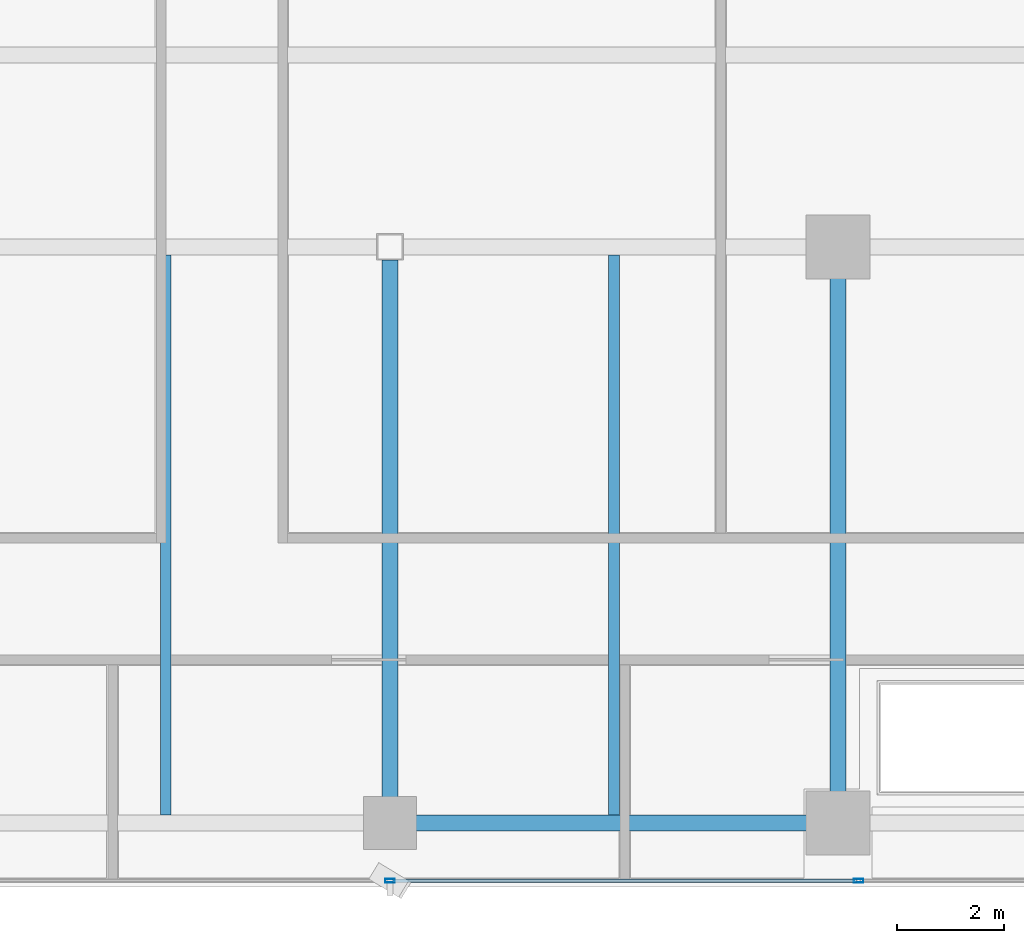
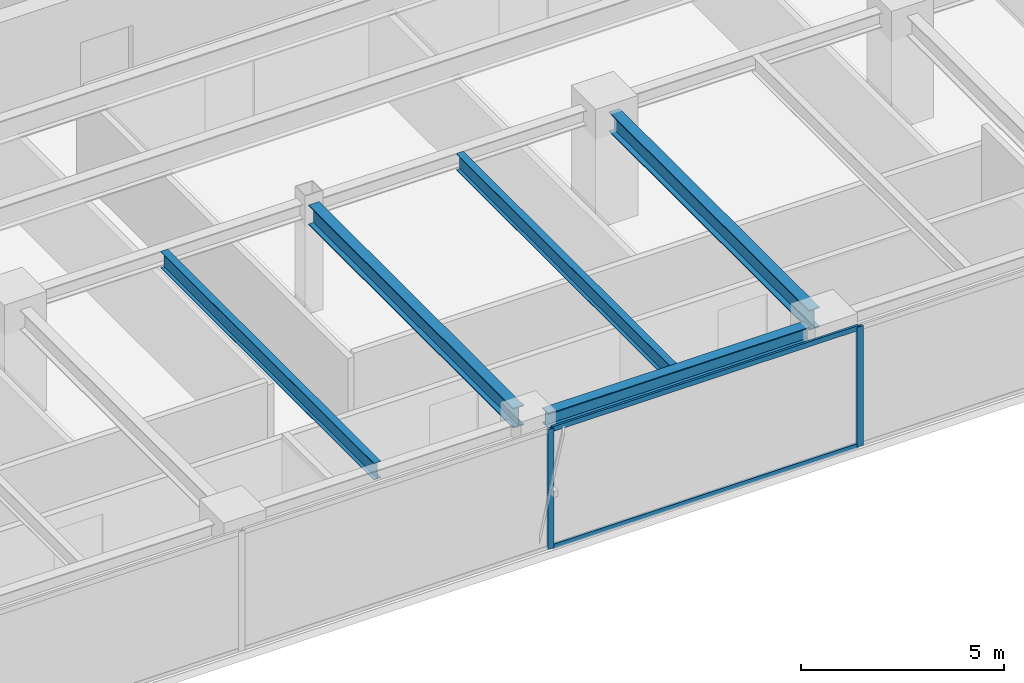
# One storey, part 4 of 21: 5 beams, 4 members, 1 element without a shape of its own.
"""IFC4 building model written with IfcOpenShell, lengths in metres."""

from ifc_helpers import new_model, si_unit, direction, frame, origin, origin_2d, place, context, subcontext, project, spatial, hollow_rectangle, i_section, extrude, source, transform, mapped, material, layer, layer_set, material_profile, profile_set, type_object, element, aggregate, save


model = new_model("IFC4")

# Units and contexts
model_context = context("Model", 3, precision=1e-05, world=origin(), true_north=direction((0.0, 1.0)))
body_context = subcontext(model_context, "Body", "Model", "MODEL_VIEW")
ifc_project = project(units=[si_unit("LENGTHUNIT", "METRE"), si_unit("AREAUNIT", "SQUARE_METRE"), si_unit("VOLUMEUNIT", "CUBIC_METRE"), si_unit("PLANEANGLEUNIT", "RADIAN"), si_unit("MASSUNIT", "GRAM", prefix="KILO")], contexts=[model_context])

# Site, building, storey
site_placement = place(None, origin())
site = spatial("IfcSite", under=ifc_project, at=site_placement, CompositionType="ELEMENT")
building_placement = place(site_placement, origin())
building = spatial("IfcBuilding", under=site, at=building_placement, Name="Sumidabori Civic Tower", CompositionType="ELEMENT")
storey_placement = place(building_placement, frame((0.0, 0.0, 290.0)))
storey = spatial("IfcBuildingStorey", under=building, at=storey_placement, Name="L76", CompositionType="ELEMENT", Elevation=290.0)

# Beams
ifc_material_1 = material(Name="Steel SN490", Category="steel")
ifc_material_profile_1 = material_profile(ifc_material_1, i_section(OverallWidth=0.300048828125, OverallDepth=0.60009765625, WebThickness=0.015380859375, FlangeThickness=0.030029296875, at=origin_2d()), Name="HE 600 B")
ifc_profile_set_1 = profile_set([ifc_material_profile_1], Name="Steel SN490")
beam_type_1 = type_object("IfcBeamType", Name="BM-GIRD-600", PredefinedType="BEAM", material=ifc_profile_set_1)
shared_shape_1 = source(origin(), body_context, "Body", "SweptSolid", [
    extrude(i_section(OverallWidth=0.300048828125, OverallDepth=0.60009765625, WebThickness=0.015380859375, FlangeThickness=0.030029296875, at=origin_2d()), origin(), (0.0, 0.0, 1.0), 9.840087890625),
])
beam_1_placement = place(storey_placement, frame((8.39990234375, -10.320068359375, 3.0), z_axis=(0.0, 1.0, 0.0), x_axis=(-1.0, 0.0, 0.0)))
element("IfcBeam", 1, at=beam_1_placement, inside=storey, type_object=beam_type_1, Name="Primary Girder L76 GY-14", PredefinedType="BEAM", context=body_context, shape_type="MappedRepresentation", body=[
    mapped(shared_shape_1, transform((0.0, 0.0, 0.0), x_axis=(1.0, 0.0, 0.0), y_axis=(0.0, 1.0, 0.0), z_axis=(0.0, 0.0, 1.0), scale=1.0)),
])
ifc_material_profile_2 = material_profile(ifc_material_1, i_section(OverallWidth=0.300048828125, OverallDepth=0.449951171875, WebThickness=0.013916015625, FlangeThickness=0.02587890625, at=origin_2d()), Name="HE 450 B")
ifc_profile_set_2 = profile_set([ifc_material_profile_2], Name="Steel SN490")
beam_type_2 = type_object("IfcBeamType", Name="BM-GIRD-450", PredefinedType="BEAM", material=ifc_profile_set_2)
shared_shape_2 = source(origin(), body_context, "Body", "SweptSolid", [
    extrude(i_section(OverallWidth=0.300048828125, OverallDepth=0.449951171875, WebThickness=0.013916015625, FlangeThickness=0.02587890625, at=origin_2d()), origin(), (0.0, 0.0, 1.0), 7.43994140625),
])
beam_2_placement = place(storey_placement, frame((0.47998046875, -10.800048828125, 3.074951171875), z_axis=(1.0, 0.0, 0.0), x_axis=(0.0, 1.0, 0.0)))
element("IfcBeam", 2, at=beam_2_placement, inside=storey, type_object=beam_type_2, Name="Primary Girder L76 GX-03", PredefinedType="BEAM", context=body_context, shape_type="MappedRepresentation", body=[
    mapped(shared_shape_2, transform((0.0, 0.0, 0.0), x_axis=(1.0, 0.0, 0.0), y_axis=(0.0, 1.0, 0.0), z_axis=(0.0, 0.0, 1.0), scale=1.0)),
])
shared_shape_3 = source(origin(), body_context, "Body", "SweptSolid", [
    extrude(i_section(OverallWidth=0.300048828125, OverallDepth=0.60009765625, WebThickness=0.015380859375, FlangeThickness=0.030029296875, at=origin_2d()), origin(), (0.0, 0.0, 1.0), 10.070068359375),
])
beam_3_placement = place(storey_placement, frame((0.0, -10.320068359375, 3.0), z_axis=(0.0, 1.0, 0.0), x_axis=(-1.0, 0.0, 0.0)))
element("IfcBeam", 3, at=beam_3_placement, inside=storey, type_object=beam_type_1, Name="Primary Girder L76 GY-13", PredefinedType="BEAM", context=body_context, shape_type="MappedRepresentation", body=[
    mapped(shared_shape_3, transform((0.0, 0.0, 0.0), x_axis=(1.0, 0.0, 0.0), y_axis=(0.0, 1.0, 0.0), z_axis=(0.0, 0.0, 1.0), scale=1.0)),
])
ifc_material_profile_3 = material_profile(ifc_material_1, i_section(OverallWidth=0.199951171875, OverallDepth=0.5, WebThickness=0.01025390625, FlangeThickness=0.01611328125, at=origin_2d()), Name="IPE 500")
ifc_profile_set_3 = profile_set([ifc_material_profile_3], Name="Steel SN490")
beam_type_3 = type_object("IfcBeamType", Name="BM-JST-500", PredefinedType="JOIST", material=ifc_profile_set_3)
shared_shape_4 = source(origin(), body_context, "Body", "SweptSolid", [
    extrude(i_section(OverallWidth=0.199951171875, OverallDepth=0.5, WebThickness=0.01025390625, FlangeThickness=0.01611328125, at=origin_2d()), origin(), (0.0, 0.0, 1.0), 10.5),
])
for number, where, z_axis, x_axis, name in (
    (4, (-4.199951171875, -10.64990234375, 3.050048828125), (0.0, 1.0, 0.0), (-1.0, 0.0, 0.0), "Upper Lens N-S Floor Joist L76 JSTV-25"),
    (5, (4.199951171875, -10.64990234375, 3.050048828125), (0.0, 1.0, 0.0), (-1.0, 0.0, 0.0), "Upper Lens N-S Floor Joist L76 JSTV-26"),
):
    element("IfcBeam", number, at=place(storey_placement, frame(where, z_axis=z_axis, x_axis=x_axis)), inside=storey, type_object=beam_type_3, Name=name, PredefinedType="JOIST", context=body_context, shape_type="MappedRepresentation", body=[
        mapped(shared_shape_4, transform((0.0, 0.0, 0.0), x_axis=(1.0, 0.0, 0.0), y_axis=(0.0, 1.0, 0.0), z_axis=(0.0, 0.0, 1.0), scale=1.0)),
    ])

# Curtain wall, members
ifc_material_2 = material(Name="Anodised Bronze Aluminium AW-6063-T6", Category="aluminium")
ifc_layer = layer(ifc_material_2, 0.179931640625, Name="Anodised Bronze Aluminium AW-6063-T6")
ifc_layer_set = layer_set([ifc_layer], Name="Anodised Bronze Aluminium AW-6063-T6")
curtain_wall_type = type_object("IfcCurtainWallType", Name="CW-SYS-6", PredefinedType="NOTDEFINED", material=ifc_layer_set)
curtain_wall_placement = place(storey_placement, origin())
curtain_wall = element("IfcCurtainWall", 6, at=curtain_wall_placement, inside=storey, type_object=curtain_wall_type, Name="Curtain Wall CW:L76:R01", PredefinedType="NOTDEFINED")
ifc_material_profile_4 = material_profile(ifc_material_2, hollow_rectangle(XDim=0.06494140625, YDim=0.14990234375, WallThickness=0.0048828125, at=origin_2d()), Name="ALU TRANSOM 150x65")
ifc_profile_set_4 = profile_set([ifc_material_profile_4], Name="Anodised Bronze Aluminium AW-6063-T6")
member_type_1 = type_object("IfcMemberType", Name="CW-TRN-150", PredefinedType="USERDEFINED", material=ifc_profile_set_4)
shared_shape_5 = source(origin(), body_context, "Body", "SweptSolid", [
    extrude(hollow_rectangle(XDim=0.06494140625, YDim=0.14990234375, WallThickness=0.0048828125, at=origin_2d()), origin(), (0.0, 0.0, 1.0), 8.715087890625),
])
member_1_placement = place(storey_placement, frame((0.034912109375, -11.8798828125, 0.032470703125), z_axis=(1.0, 0.0, 0.0), x_axis=(0.0, 1.0, 0.0)))
member_1 = element("IfcMember", 7, at=member_1_placement, type_object=member_type_1, Name="CW-6 transom 3.1", ObjectType="TRANSOM", PredefinedType="USERDEFINED", context=body_context, shape_type="MappedRepresentation", body=[
    mapped(shared_shape_5, transform((0.0, 0.0, 0.0), x_axis=(1.0, 0.0, 0.0), y_axis=(0.0, 1.0, 0.0), z_axis=(0.0, 0.0, 1.0), scale=1.0)),
])
member_2_placement = place(storey_placement, frame((0.034912109375, -11.8798828125, 3.5673828125), z_axis=(1.0, 0.0, 0.0), x_axis=(0.0, 1.0, 0.0)))
member_2 = element("IfcMember", 8, at=member_2_placement, type_object=member_type_1, Name="CW-6 transom 3.2", ObjectType="TRANSOM", PredefinedType="USERDEFINED", context=body_context, shape_type="MappedRepresentation", body=[
    mapped(shared_shape_5, transform((0.0, 0.0, 0.0), x_axis=(1.0, 0.0, 0.0), y_axis=(0.0, 1.0, 0.0), z_axis=(0.0, 0.0, 1.0), scale=1.0)),
])
ifc_material_profile_5 = material_profile(ifc_material_2, hollow_rectangle(XDim=0.070068359375, YDim=0.179931640625, WallThickness=0.006103515625, at=origin_2d()), Name="ALU MULLION 180x70")
ifc_profile_set_5 = profile_set([ifc_material_profile_5], Name="Anodised Bronze Aluminium AW-6063-T6")
member_type_2 = type_object("IfcMemberType", Name="CW-MUL-180", PredefinedType="MULLION", material=ifc_profile_set_5)
shared_shape_6 = source(origin(), body_context, "Body", "SweptSolid", [
    extrude(hollow_rectangle(XDim=0.070068359375, YDim=0.179931640625, WallThickness=0.006103515625, at=origin_2d()), origin(), (0.0, 0.0, 1.0), 3.60009765625),
])
member_3_placement = place(storey_placement, frame((0.0, -11.8798828125, 0.0), z_axis=(0.0, 0.0, 1.0), x_axis=(0.0, 1.0, 0.0)))
member_3 = element("IfcMember", 9, at=member_3_placement, type_object=member_type_2, Name="CW-6 mullion 3", PredefinedType="MULLION", context=body_context, shape_type="MappedRepresentation", body=[
    mapped(shared_shape_6, transform((0.0, 0.0, 0.0), x_axis=(1.0, 0.0, 0.0), y_axis=(0.0, 1.0, 0.0), z_axis=(0.0, 0.0, 1.0), scale=1.0)),
])
member_4_placement = place(storey_placement, frame((8.784912109375, -11.8798828125, 0.0), z_axis=(0.0, 0.0, 1.0), x_axis=(0.0, 1.0, 0.0)))
member_4 = element("IfcMember", 10, at=member_4_placement, type_object=member_type_2, Name="CW-6 mullion 4", PredefinedType="MULLION", context=body_context, shape_type="MappedRepresentation", body=[
    mapped(shared_shape_6, transform((0.0, 0.0, 0.0), x_axis=(1.0, 0.0, 0.0), y_axis=(0.0, 1.0, 0.0), z_axis=(0.0, 0.0, 1.0), scale=1.0)),
])
aggregate(curtain_wall, [member_3, member_4, member_1, member_2])

save(model, "model.ifc")
